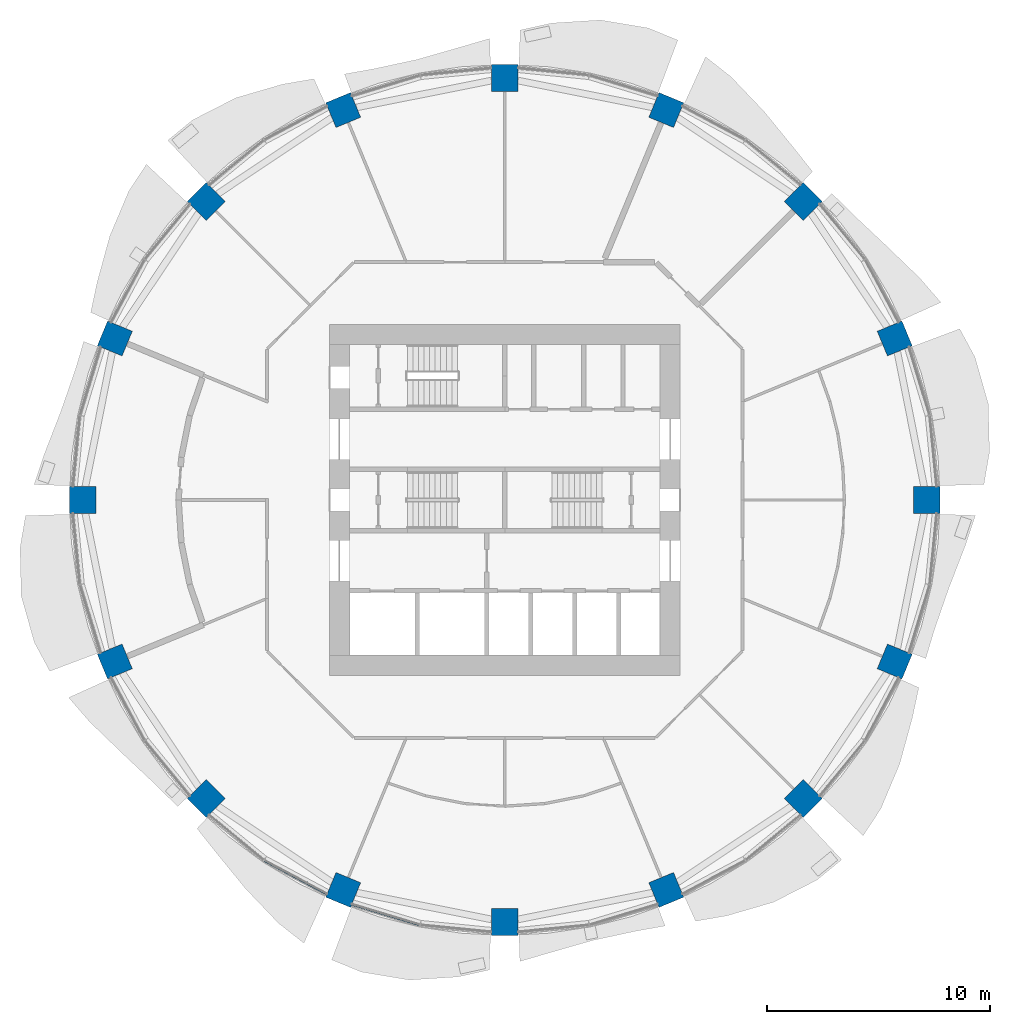
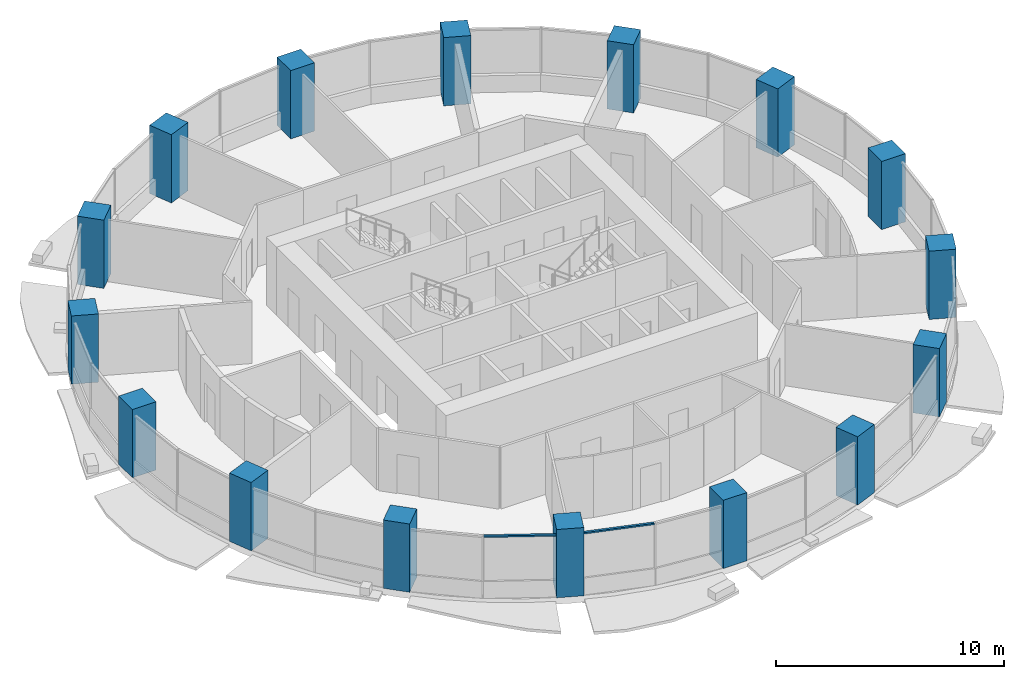
# One storey, part 1 of 15: 16 columns, 2 members, 2 elements without a shape of their own.
"""IFC4 building model written with IfcOpenShell, lengths in metres."""

from ifc_helpers import new_model, si_unit, direction, frame, origin, origin_2d, place, context, subcontext, project, spatial, rectangle, extrude, material, material_profile, profile_set, type_object, element, aggregate, save


model = new_model("IFC4")

# Units and contexts
model_context = context("Model", 3, precision=1e-05, world=origin(), true_north=direction((0.0, 1.0)))
body_context = subcontext(model_context, "Body", "Model", "MODEL_VIEW")
ifc_project = project(units=[si_unit("LENGTHUNIT", "METRE"), si_unit("AREAUNIT", "SQUARE_METRE"), si_unit("VOLUMEUNIT", "CUBIC_METRE"), si_unit("PLANEANGLEUNIT", "RADIAN"), si_unit("MASSUNIT", "GRAM", prefix="KILO")], contexts=[model_context])

# Site, building, storey
site_placement = place(None, origin())
site = spatial("IfcSite", under=ifc_project, at=site_placement, CompositionType="ELEMENT")
building_placement = place(site_placement, origin())
building = spatial("IfcBuilding", under=site, at=building_placement, Name="Polderwave Tower", CompositionType="ELEMENT")
storey_placement = place(building_placement, frame((0.0, 0.0, 59.050048828125)))
storey = spatial("IfcBuildingStorey", under=building, at=storey_placement, Name="L15", CompositionType="ELEMENT", Elevation=59.050048828125)

# Columns
ifc_material_1 = material(Name="Concrete C70/85", Category="concrete")
ifc_material_profile_1 = material_profile(ifc_material_1, rectangle(XDim=1.199951171875, YDim=1.199951171875, at=origin_2d()), Name="RC 1200x1200")
ifc_profile_set_1 = profile_set([ifc_material_profile_1], Name="Concrete C70/85")
column_type = type_object("IfcColumnType", Name="RC COLUMN 1200x1200 C70/85", PredefinedType="COLUMN", material=ifc_profile_set_1)
for number, where, z_axis, x_axis, name in (
    (1, (18.93994140625, 0.0, 0.0), (0.0, 0.0, 1.0), (1.0, 0.0, 0.0), "Ring column 01"),
    (2, (17.498291015625, 7.248046875, 0.0), (0.0, 0.0, 1.0), (0.923879532511, 0.382683432365, 0.0), "Ring column 02"),
    (3, (13.392578125, 13.392578125, 0.0), (0.0, 0.0, 1.0), (0.707106781187, 0.707106781187, 0.0), "Ring column 03"),
    (4, (7.248046875, 17.498291015625, 0.0), (0.0, 0.0, 1.0), (0.382683432365, 0.923879532511, 0.0), "Ring column 04"),
    (5, (0.0, 18.93994140625, 0.0), (0.0, 0.0, 1.0), (0.0, 1.0, 0.0), "Ring column 05"),
    (6, (-7.248046875, 17.498291015625, 0.0), (0.0, 0.0, 1.0), (-0.382683432365, 0.923879532511, 0.0), "Ring column 06"),
    (7, (-13.392578125, 13.392578125, 0.0), (0.0, 0.0, 1.0), (-0.707106781187, 0.707106781187, 0.0), "Ring column 07"),
    (8, (-17.498291015625, 7.248046875, 0.0), (0.0, 0.0, 1.0), (-0.923879532511, 0.382683432365, 0.0), "Ring column 08"),
    (9, (-18.93994140625, 0.0, 0.0), (0.0, 0.0, 1.0), (-1.0, 0.0, 0.0), "Ring column 09"),
    (10, (-17.498291015625, -7.248046875, 0.0), (0.0, 0.0, 1.0), (-0.923879532511, -0.382683432365, 0.0), "Ring column 10"),
    (11, (-13.392578125, -13.392578125, 0.0), (0.0, 0.0, 1.0), (-0.707106781187, -0.707106781187, 0.0), "Ring column 11"),
    (12, (-7.248046875, -17.498291015625, 0.0), (0.0, 0.0, 1.0), (-0.382683432365, -0.923879532511, 0.0), "Ring column 12"),
    (13, (0.0, -18.93994140625, 0.0), (0.0, 0.0, 1.0), (0.0, -1.0, 0.0), "Ring column 13"),
    (14, (7.248046875, -17.498291015625, 0.0), (0.0, 0.0, 1.0), (0.382683432365, -0.923879532511, 0.0), "Ring column 14"),
    (15, (13.392578125, -13.392578125, 0.0), (0.0, 0.0, 1.0), (0.707106781187, -0.707106781187, 0.0), "Ring column 15"),
    (16, (17.498291015625, -7.248046875, 0.0), (0.0, 0.0, 1.0), (0.923879532511, -0.382683432365, 0.0), "Ring column 16"),
):
    element("IfcColumn", number, at=place(storey_placement, frame(where, z_axis=z_axis, x_axis=x_axis)), inside=storey, type_object=column_type, Name=name, PredefinedType="COLUMN", context=body_context, shape_type="SweptSolid", body=[
        extrude(rectangle(XDim=1.199951171875, YDim=1.199951171875, at=origin_2d()), origin(), (0.0, 0.0, 1.0), 3.64990234375),
    ])

# Curtain wall, member
ifc_material_2 = material(Name="Aluminium 6063-T6 and glass", Category="aluminium")
curtain_wall_type = type_object("IfcCurtainWallType", Name="Growing floor ribbon glazing wall", PredefinedType="NOTDEFINED", material=ifc_material_2)
curtain_wall_1_placement = place(storey_placement, origin())
curtain_wall_1 = element("IfcCurtainWall", 17, at=curtain_wall_1_placement, inside=storey, type_object=curtain_wall_type, Name="CW2 L15 10", PredefinedType="NOTDEFINED")
ifc_material_3 = material(Name="Aluminium 6063-T6", Category="aluminium")
ifc_material_profile_2 = material_profile(ifc_material_3, rectangle(XDim=0.1201171875, YDim=0.080078125, at=origin_2d()), Name="AL 80x120")
ifc_profile_set_2 = profile_set([ifc_material_profile_2], Name="Aluminium 6063-T6")
member_type = type_object("IfcMemberType", Name="Growing floor ribbon glazing transom 80x120", PredefinedType="USERDEFINED", material=ifc_profile_set_2)
member_1_placement = place(storey_placement, frame((-10.7734375, -16.177978515625, 3.260009765625), z_axis=(0.881910191406, -0.471417452258, 0.0), x_axis=(0.471417452258, 0.881910191406, 0.0)))
member_1 = element("IfcMember", 18, at=member_1_placement, type_object=member_type, Name="CW2 transom 2", ObjectType="TRANSOM", PredefinedType="USERDEFINED", context=body_context, shape_type="SweptSolid", body=[
    extrude(rectangle(XDim=0.1201171875, YDim=0.080078125, at=origin_2d()), origin(), (0.0, 0.0, 1.0), 3.177734375),
])
aggregate(curtain_wall_1, [member_1])

curtain_wall_2_placement = place(storey_placement, origin())
curtain_wall_2 = element("IfcCurtainWall", 19, at=curtain_wall_2_placement, inside=storey, type_object=curtain_wall_type, Name="CW2 L15 11", PredefinedType="NOTDEFINED")
member_2_placement = place(storey_placement, frame((-6.862060546875, -18.135009765625, 3.260009765625), z_axis=(0.956931289937, -0.290314495574, 0.0), x_axis=(0.290314495574, 0.956931289937, 0.0)))
member_2 = element("IfcMember", 20, at=member_2_placement, type_object=member_type, Name="CW2 transom 1", ObjectType="TRANSOM", PredefinedType="USERDEFINED", context=body_context, shape_type="SweptSolid", body=[
    extrude(rectangle(XDim=0.1201171875, YDim=0.080078125, at=origin_2d()), origin(), (0.0, 0.0, 1.0), 3.177001953125),
])
aggregate(curtain_wall_2, [member_2])

save(model, "model.ifc")
